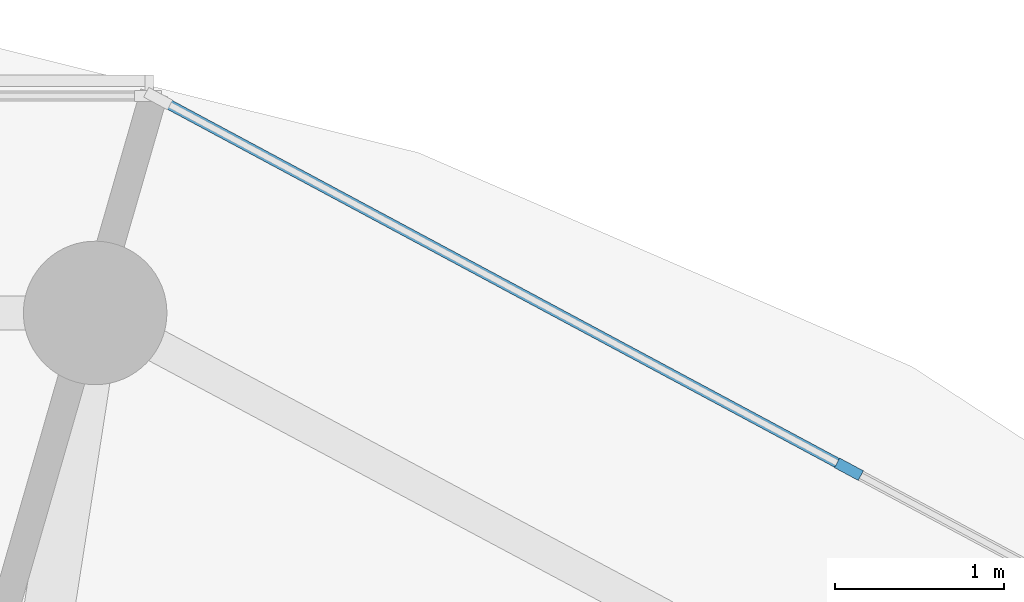
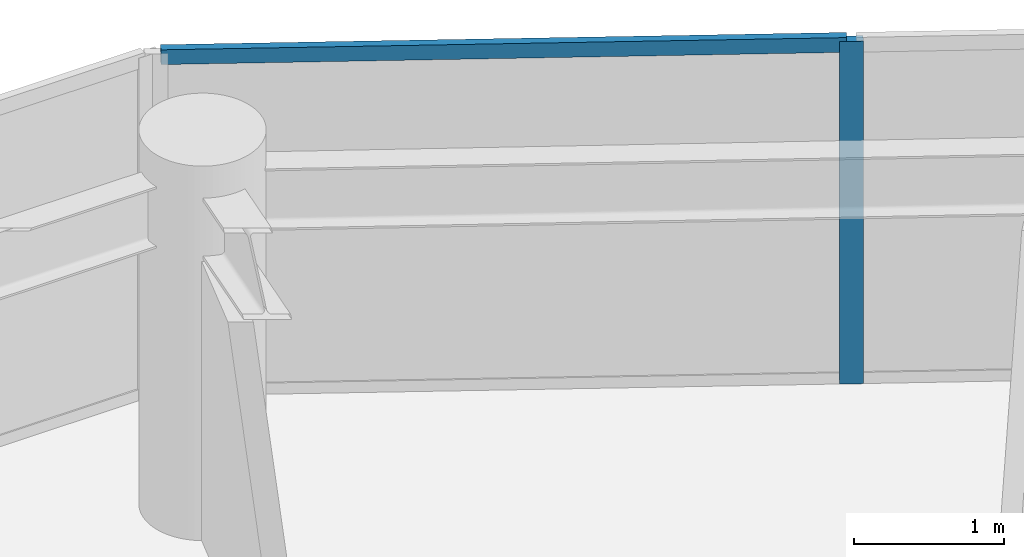
# One storey, part 12 of 23: 2 members, 1 element without a shape of its own.
"""IFC4 building model written with IfcOpenShell, lengths in metres."""

from ifc_helpers import new_model, si_unit, direction, frame, origin, origin_2d, place, context, subcontext, project, spatial, rectangle, extrude, source, transform, mapped, material, layer, layer_set, material_profile, profile_set, type_object, type_shapes, element, aggregate, save


model = new_model("IFC4")

# Units and contexts
model_context = context("Model", 3, precision=1e-05, world=origin(), true_north=direction((0.0, 1.0)))
body_context = subcontext(model_context, "Body", "Model", "MODEL_VIEW")
ifc_project = project(units=[si_unit("LENGTHUNIT", "METRE"), si_unit("AREAUNIT", "SQUARE_METRE"), si_unit("VOLUMEUNIT", "CUBIC_METRE"), si_unit("PLANEANGLEUNIT", "RADIAN"), si_unit("MASSUNIT", "GRAM", prefix="KILO")], contexts=[model_context])

# Site, building, storey
site_placement = place(None, origin())
site = spatial("IfcSite", under=ifc_project, at=site_placement, CompositionType="ELEMENT")
building_placement = place(site_placement, origin())
building = spatial("IfcBuilding", under=site, at=building_placement, Name="Norrkilde Senior Care Towers", CompositionType="ELEMENT")
storey_placement = place(building_placement, frame((0.0, 0.0, 81.0)))
storey = spatial("IfcBuildingStorey", under=building, at=storey_placement, Name="L24", CompositionType="ELEMENT", Elevation=81.0)

# Curtain wall, members
ifc_material_1 = material(Name="Triple Low-E Insulated Glazing", Category="glass")
ifc_layer = layer(ifc_material_1, 0.195068359375)
ifc_layer_set = layer_set([ifc_layer], Name="Triple Low-E Insulated Glazing")
curtain_wall_type = type_object("IfcCurtainWallType", Name="CW3 Zone 2 Assisted Living Curtain Wall", PredefinedType="NOTDEFINED", material=ifc_layer_set)
curtain_wall_placement = place(storey_placement, origin())
curtain_wall = element("IfcCurtainWall", 1, at=curtain_wall_placement, inside=storey, type_object=curtain_wall_type, Name="L24 Drum E Curtain Wall 01", PredefinedType="NOTDEFINED")
ifc_material_2 = material(Name="Anodised Aluminium", Category="aluminium")
ifc_material_profile_1 = material_profile(ifc_material_2, rectangle(XDim=0.06494140625, YDim=0.159912109375, at=origin_2d()), Name="ALU MULL 65x160")
ifc_profile_set_1 = profile_set([ifc_material_profile_1], Name="Anodised Aluminium")
member_type_1 = type_object("IfcMemberType", Name="Curtain Wall Mullion Z1-Z2 65x160", PredefinedType="MULLION", material=ifc_profile_set_1)
shared_shape_1 = source(origin(), body_context, "Body", "SweptSolid", [
    extrude(rectangle(XDim=0.06494140625, YDim=0.159912109375, at=origin_2d()), origin(), (0.0, 0.0, 1.0), 2.7900390625),
])
type_shapes(member_type_1, [shared_shape_1])
member_1_placement = place(storey_placement, frame((34.826904296875, 14.28759765625, 0.0), z_axis=(0.0, 0.0, 1.0), x_axis=(0.472769402511, 0.881186184668, 0.0)))
member_1 = element("IfcMember", 2, at=member_1_placement, type_object=member_type_1, Name="CW-3 mullion 2", PredefinedType="MULLION", context=body_context, shape_type="MappedRepresentation", body=[
    mapped(shared_shape_1, transform((0.0, 0.0, 0.0), x_axis=(1.0, 0.0, 0.0), y_axis=(0.0, 1.0, 0.0), z_axis=(0.0, 0.0, 1.0), scale=1.0)),
])
ifc_material_profile_2 = material_profile(ifc_material_2, rectangle(XDim=0.06005859375, YDim=0.1201171875, at=origin_2d()), Name="ALU TRAN 60x120")
ifc_profile_set_2 = profile_set([ifc_material_profile_2], Name="Anodised Aluminium")
member_type_2 = type_object("IfcMemberType", Name="Curtain Wall Transom Typical 60x120", PredefinedType="USERDEFINED", material=ifc_profile_set_2)
shared_shape_2 = source(origin(), body_context, "Body", "SweptSolid", [
    extrude(rectangle(XDim=0.06005859375, YDim=0.1201171875, at=origin_2d()), origin(), (0.0, 0.0, 1.0), 4.577880859375),
])
type_shapes(member_type_2, [shared_shape_2])
member_2_placement = place(storey_placement, frame((30.764404296875, 16.46728515625, 2.760009765625), z_axis=(0.881182486146, -0.472776296053, 0.0), x_axis=(0.472776296053, 0.881182486146, 0.0)))
member_2 = element("IfcMember", 3, at=member_2_placement, type_object=member_type_2, Name="CW-3 transom 1.2", ObjectType="TRANSOM", PredefinedType="USERDEFINED", context=body_context, shape_type="MappedRepresentation", body=[
    mapped(shared_shape_2, transform((0.0, 0.0, 0.0), x_axis=(1.0, 0.0, 0.0), y_axis=(0.0, 1.0, 0.0), z_axis=(0.0, 0.0, 1.0), scale=1.0)),
])
aggregate(curtain_wall, [member_1, member_2])

save(model, "model.ifc")
